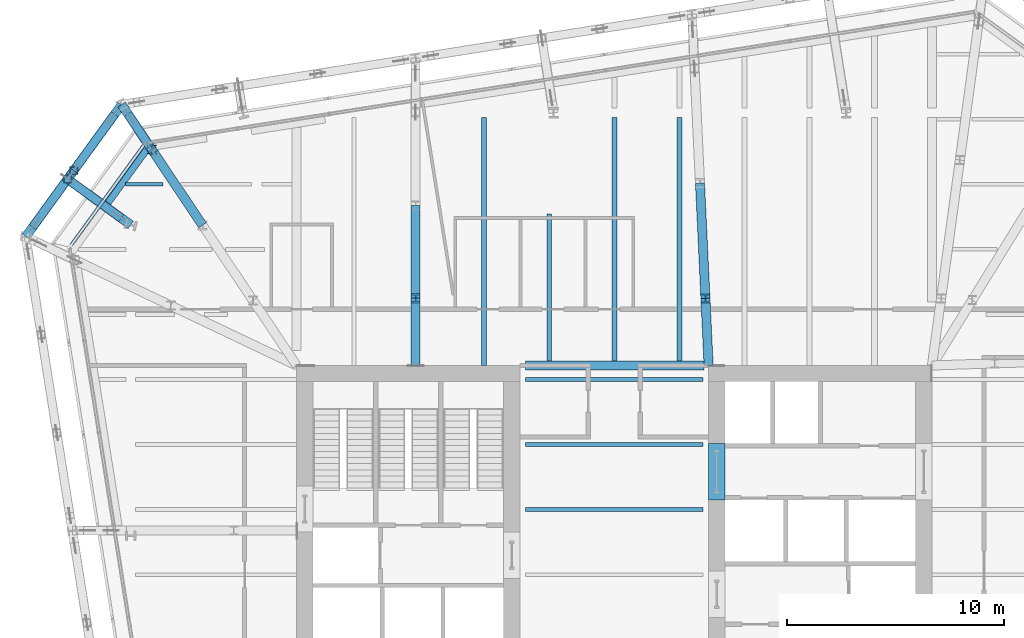
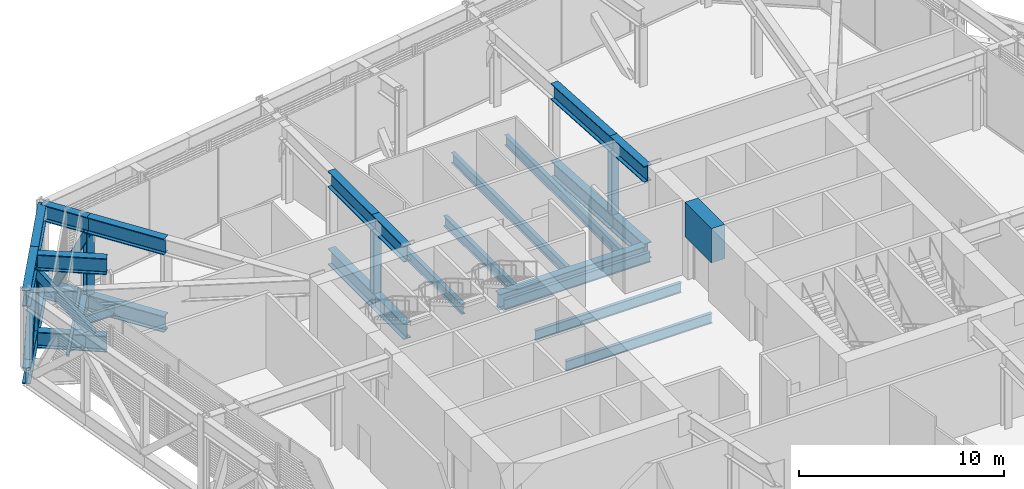
# One storey, part 11 of 32: 29 beams, 10 members, 1 element without a shape of its own.
"""IFC4 building model written with IfcOpenShell, lengths in metres."""

from ifc_helpers import new_model, si_unit, direction, frame, origin, origin_2d, place, context, subcontext, project, spatial, rectangle, hollow_rectangle, i_section, extrude, material, layer, layer_set, material_profile, profile_set, type_object, element, aggregate, save


model = new_model("IFC4")

# Units and contexts
model_context = context("Model", 3, precision=1e-05, world=origin(), true_north=direction((0.0, 1.0)))
body_context = subcontext(model_context, "Body", "Model", "MODEL_VIEW")
ifc_project = project(units=[si_unit("LENGTHUNIT", "METRE"), si_unit("AREAUNIT", "SQUARE_METRE"), si_unit("VOLUMEUNIT", "CUBIC_METRE"), si_unit("PLANEANGLEUNIT", "RADIAN"), si_unit("MASSUNIT", "GRAM", prefix="KILO")], contexts=[model_context])

# Site, building, storey
site_placement = place(None, origin())
site = spatial("IfcSite", under=ifc_project, at=site_placement, CompositionType="ELEMENT")
building_placement = place(site_placement, origin())
building = spatial("IfcBuilding", under=site, at=building_placement, Name="Millrace Tower", CompositionType="ELEMENT")
storey_placement = place(building_placement, frame((0.0, 0.0, 124.89990234375)))
storey = spatial("IfcBuildingStorey", under=building, at=storey_placement, Name="L27", CompositionType="ELEMENT", Elevation=124.89990234375)

# Curtain wall, member
ifc_material_1 = material(Name="Aluminium and glass", Category="aluminium")
ifc_layer = layer(ifc_material_1, 0.14990234375)
ifc_layer_set = layer_set([ifc_layer], Name="Aluminium and glass")
curtain_wall_type = type_object("IfcCurtainWallType", Name="CW-5 truss and plant storey louvred infill", PredefinedType="NOTDEFINED", material=ifc_layer_set)
curtain_wall_placement = place(storey_placement, origin())
curtain_wall = element("IfcCurtainWall", 1, at=curtain_wall_placement, inside=storey, type_object=curtain_wall_type, Name="Curtain wall C-F07 L27", PredefinedType="NOTDEFINED")
ifc_material_2 = material(Name="Aluminium", Category="aluminium")
ifc_material_profile_1 = material_profile(ifc_material_2, rectangle(XDim=0.14990234375, YDim=0.139892578125, at=origin_2d()))
ifc_profile_set_1 = profile_set([ifc_material_profile_1], Name="Aluminium")
member_type_1 = type_object("IfcMemberType", Name="CW-5 truss and plant storey louvred infill transom", PredefinedType="USERDEFINED", material=ifc_profile_set_1)
member_1_placement = place(storey_placement, frame((-21.70751953125, 19.796875, 0.070068359375), z_axis=(-0.587761915215, -0.80903394924, 0.0), x_axis=(0.80903394924, -0.587761915215, 0.0)))
member_1 = element("IfcMember", 2, at=member_1_placement, type_object=member_type_1, Name="CW5 transom C-F07.1", ObjectType="TRANSOM", PredefinedType="USERDEFINED", context=body_context, shape_type="SweptSolid", body=[
    extrude(rectangle(XDim=0.14990234375, YDim=0.139892578125, at=origin_2d()), origin(), (0.0, 0.0, 1.0), 5.6689453125),
])
aggregate(curtain_wall, [member_1])

# Beams
ifc_material_3 = material(Name="Concrete C70", Category="concrete")
ifc_material_profile_2 = material_profile(ifc_material_3, rectangle(XDim=0.75, YDim=2.0400390625, at=origin_2d()))
ifc_profile_set_2 = profile_set([ifc_material_profile_2], Name="Concrete C70")
beam_type_1 = type_object("IfcBeamType", Name="Coupling beam 750 x 2040 Concrete C70, 2000 opening", PredefinedType="BEAM", material=ifc_profile_set_2)
beam_1_placement = place(storey_placement, frame((4.72509765625, 6.050048828125, 3.420166015625), z_axis=(0.0, -1.0, 0.0), x_axis=(1.0, 0.0, 0.0)))
element("IfcBeam", 3, at=beam_1_placement, inside=storey, type_object=beam_type_1, Name="Coupling beam E L27", PredefinedType="BEAM", context=body_context, shape_type="SweptSolid", body=[
    extrude(rectangle(XDim=0.75, YDim=2.0400390625, at=origin_2d()), origin(), (0.0, 0.0, 1.0), 2.60009765625),
])
ifc_material_4 = material(Name="Steel ASTM A992 Grade 50", Category="steel")
ifc_material_profile_3 = material_profile(ifc_material_4, i_section(OverallWidth=0.1650390625, OverallDepth=0.52587890625, WebThickness=0.0087890625, FlangeThickness=0.011474609375, FilletRadius=0.0126953125, at=origin_2d()))
ifc_profile_set_3 = profile_set([ifc_material_profile_3], Name="Steel ASTM A992 Grade 50")
beam_type_2 = type_object("IfcBeamType", Name="Floor beam W21x44", PredefinedType="JOIST", material=ifc_profile_set_3)
beam_2_placement = place(storey_placement, frame((-22.540283203125, 18.0, -0.4228515625), z_axis=(1.0, 0.0, 0.0), x_axis=(0.0, 1.0, 0.0)))
element("IfcBeam", 4, at=beam_2_placement, inside=storey, type_object=beam_type_2, Name="BM-C-L27-S1-S035-a-a", PredefinedType="JOIST", context=body_context, shape_type="SweptSolid", body=[
    extrude(i_section(OverallWidth=0.1650390625, OverallDepth=0.52587890625, WebThickness=0.0087890625, FlangeThickness=0.011474609375, FilletRadius=0.0126953125, at=origin_2d()), origin(), (0.0, 0.0, 1.0), 1.7216796875),
])
ifc_material_5 = material(Name="Steel ASTM A992 Grade 50", Category="steel")
ifc_material_profile_4 = material_profile(ifc_material_5, i_section(OverallWidth=0.177978515625, OverallDepth=0.599365234375, WebThickness=0.010009765625, FlangeThickness=0.012939453125, FilletRadius=0.012939453125, at=origin_2d()))
ifc_profile_set_4 = profile_set([ifc_material_profile_4], Name="Steel ASTM A992 Grade 50")
beam_type_3 = type_object("IfcBeamType", Name="Floor beam W24x55", PredefinedType="JOIST", material=ifc_profile_set_4)
for number, where, z_axis, x_axis, name in (
    (5, (-4.10009765625, 3.0, -0.459716796875), (1.0, 0.0, 0.0), (0.0, 1.0, 0.0), "BM-C-L27-S1-S022"),
    (6, (-4.10009765625, 6.0, -0.459716796875), (1.0, 0.0, 0.0), (0.0, 1.0, 0.0), "BM-C-L27-S1-S025"),
    (7, (-4.10009765625, 9.0, -0.459716796875), (1.0, 0.0, 0.0), (0.0, 1.0, 0.0), "BM-C-L27-S1-S028"),
):
    element("IfcBeam", number, at=place(storey_placement, frame(where, z_axis=z_axis, x_axis=x_axis)), inside=storey, type_object=beam_type_3, Name=name, PredefinedType="JOIST", context=body_context, shape_type="SweptSolid", body=[
        extrude(i_section(OverallWidth=0.177978515625, OverallDepth=0.599365234375, WebThickness=0.010009765625, FlangeThickness=0.012939453125, FilletRadius=0.012939453125, at=origin_2d()), origin(), (0.0, 0.0, 1.0), 8.2001953125),
    ])
ifc_material_6 = material(Name="Steel ASTM A992 Grade 50", Category="steel")
ifc_material_profile_5 = material_profile(ifc_material_6, i_section(OverallWidth=0.228271484375, OverallDepth=0.607177734375, WebThickness=0.01123046875, FlangeThickness=0.017333984375, FilletRadius=0.0126953125, at=origin_2d()))
ifc_profile_set_5 = profile_set([ifc_material_profile_5], Name="Steel ASTM A992 Grade 50")
beam_type_4 = type_object("IfcBeamType", Name="Floor beam W24x76", PredefinedType="JOIST", material=ifc_profile_set_5)
beam_3_placement = place(storey_placement, frame((-3.0, 9.859619140625, -0.46337890625), z_axis=(0.0, 1.0, 0.0), x_axis=(-1.0, 0.0, 0.0)))
element("IfcBeam", 8, at=beam_3_placement, inside=storey, type_object=beam_type_4, Name="BM-C-L27-S1-S045-a", PredefinedType="JOIST", context=body_context, shape_type="SweptSolid", body=[
    extrude(i_section(OverallWidth=0.228271484375, OverallDepth=0.607177734375, WebThickness=0.01123046875, FlangeThickness=0.017333984375, FilletRadius=0.0126953125, at=origin_2d()), origin(), (0.0, 0.0, 1.0), 6.773193359375),
])
for number, where, z_axis, x_axis, name in (
    (9, (3.0, 9.859619140625, -0.46337890625), (0.0, 1.0, 0.0), (-1.0, 0.0, 0.0), "BM-C-L27-S1-S049-a"),
    (10, (0.0, 9.859619140625, -0.46337890625), (0.0, 1.0, 0.0), (-1.0, 0.0, 0.0), "BM-C-L27-S1-S047-a"),
):
    element("IfcBeam", number, at=place(storey_placement, frame(where, z_axis=z_axis, x_axis=x_axis)), inside=storey, type_object=beam_type_4, Name=name, PredefinedType="JOIST", context=body_context, shape_type="SweptSolid", body=[
        extrude(i_section(OverallWidth=0.228271484375, OverallDepth=0.607177734375, WebThickness=0.01123046875, FlangeThickness=0.017333984375, FilletRadius=0.0126953125, at=origin_2d()), origin(), (0.0, 0.0, 1.0), 11.222412109375),
    ])
beam_4_placement = place(storey_placement, frame((-6.0, 9.64990234375, -0.46337890625), z_axis=(0.0, 1.0, 0.0), x_axis=(-1.0, 0.0, 0.0)))
element("IfcBeam", 11, at=beam_4_placement, inside=storey, type_object=beam_type_4, Name="BM-C-L27-S1-S043", PredefinedType="JOIST", context=body_context, shape_type="SweptSolid", body=[
    extrude(i_section(OverallWidth=0.228271484375, OverallDepth=0.607177734375, WebThickness=0.01123046875, FlangeThickness=0.017333984375, FilletRadius=0.0126953125, at=origin_2d()), origin(), (0.0, 0.0, 1.0), 11.43212890625),
])
ifc_material_7 = material(Name="Steel ASTM A992 Grade 50", Category="steel")
ifc_material_profile_6 = material_profile(ifc_material_7, i_section(OverallWidth=0.419189453125, OverallDepth=0.927001953125, WebThickness=0.019287109375, FlangeThickness=0.031982421875, FilletRadius=0.024169921875, at=origin_2d()))
ifc_profile_set_6 = profile_set([ifc_material_profile_6], Name="Steel ASTM A992 Grade 50")
beam_type_5 = type_object("IfcBeamType", Name="Girder short span W36x231", PredefinedType="BEAM", material=ifc_profile_set_6)
beam_5_placement = place(storey_placement, frame((-4.10009765625, 9.64990234375, -0.62353515625), z_axis=(1.0, 0.0, 0.0), x_axis=(0.0, 1.0, 0.0)))
element("IfcBeam", 12, at=beam_5_placement, inside=storey, type_object=beam_type_5, Name="BM-C-L27-S1-G061", PredefinedType="BEAM", context=body_context, shape_type="SweptSolid", body=[
    extrude(i_section(OverallWidth=0.419189453125, OverallDepth=0.927001953125, WebThickness=0.019287109375, FlangeThickness=0.031982421875, FilletRadius=0.024169921875, at=origin_2d()), origin(), (0.0, 0.0, 1.0), 8.22802734375),
])
ifc_material_8 = material(Name="Steel ASTM A992 Grade 50", Category="steel")
ifc_material_profile_7 = material_profile(ifc_material_8, i_section(OverallWidth=0.307373046875, OverallDepth=0.927001953125, WebThickness=0.01953125, FlangeThickness=0.031982421875, FilletRadius=0.01904296875, at=origin_2d()))
ifc_profile_set_7 = profile_set([ifc_material_profile_7], Name="Steel ASTM A992 Grade 50")
beam_type_6 = type_object("IfcBeamType", Name="Ring beam short span W36x194", PredefinedType="SPANDREL", material=ifc_profile_set_7)
beam_6_placement = place(storey_placement, frame((-23.3466796875, 17.151611328125, -0.62353515625), z_axis=(0.587780893365, 0.809020161303, 0.0), x_axis=(-0.809020161303, 0.587780893365, 0.0)))
element("IfcBeam", 13, at=beam_6_placement, inside=storey, type_object=beam_type_6, Name="RNG-C-L27-S1-04-b", PredefinedType="SPANDREL", context=body_context, shape_type="SweptSolid", body=[
    extrude(i_section(OverallWidth=0.307373046875, OverallDepth=0.927001953125, WebThickness=0.01953125, FlangeThickness=0.031982421875, FilletRadius=0.01904296875, at=origin_2d()), origin(), (0.0, 0.0, 1.0), 3.00927734375),
])

# Members
ifc_material_9 = material(Name="Steel ASTM A992 Grade 50", Category="steel")
ifc_material_profile_8 = material_profile(ifc_material_9, i_section(OverallWidth=0.406494140625, OverallDepth=0.41650390625, WebThickness=0.030029296875, FlangeThickness=0.048095703125, FilletRadius=0.01513671875, at=origin_2d()))
ifc_profile_set_8 = profile_set([ifc_material_profile_8], Name="Steel ASTM A992 Grade 50")
member_type_2 = type_object("IfcMemberType", Name="Transfer truss Vierendeel moment post W14x257", PredefinedType="POST", material=ifc_profile_set_8)
for number, where, z_axis, x_axis, name in (
    (14, (4.203125, 12.74658203125, -0.159912109375), (0.0, 0.0, 1.0), (1.0, 0.0, 0.0), "TRS-L27-C11-V03"),
    (15, (-9.15966796875, 12.75, -0.159912109375), (0.0, 0.0, 1.0), (1.0, 0.0, 0.0), "TRS-L27-C12-V03"),
    (16, (-21.326416015625, 19.603271484375, -0.159912109375), (0.0, 0.0, 1.0), (1.0, 0.0, 0.0), "TRS-L27-C13-V01"),
):
    element("IfcMember", number, at=place(storey_placement, frame(where, z_axis=z_axis, x_axis=x_axis)), inside=storey, type_object=member_type_2, Name=name, PredefinedType="POST", context=body_context, shape_type="SweptSolid", body=[
        extrude(i_section(OverallWidth=0.406494140625, OverallDepth=0.41650390625, WebThickness=0.030029296875, FlangeThickness=0.048095703125, FilletRadius=0.01513671875, at=origin_2d()), origin(), (0.0, 0.0, 1.0), 3.642333984375),
    ])

# Beams
ifc_material_10 = material(Name="Steel ASTM A992 Grade 50", Category="steel")
ifc_material_profile_9 = material_profile(ifc_material_10, i_section(OverallWidth=0.421630859375, OverallDepth=0.95751953125, WebThickness=0.02587890625, FlangeThickness=0.046875, FilletRadius=0.024169921875, at=origin_2d()))
ifc_profile_set_9 = profile_set([ifc_material_profile_9], Name="Steel ASTM A992 Grade 50")
beam_type_7 = type_object("IfcBeamType", Name="Transfer truss chord W36x330", PredefinedType="BEAM", material=ifc_profile_set_9)
for number, where, z_axis, x_axis, name in (
    (17, (-22.718994140625, 21.679443359375, -0.638671875), (-0.587816727531, -0.80899412534, 0.0), (0.80899412534, -0.587816727531, 0.0), "TRS-L27-R13-B01"),
    (18, (-22.718994140625, 21.679443359375, 3.96142578125), (-0.587816727531, -0.80899412534, 0.0), (0.80899412534, -0.587816727531, 0.0), "TRS-L27-R13-T01"),
    (19, (-24.930908203125, 18.63525390625, -0.638671875), (-0.587743410516, -0.809047392552, 0.0), (0.809047392552, -0.587743410516, 0.0), "TRS-L27-R13-B02"),
    (20, (-24.930908203125, 18.63525390625, 3.96142578125), (-0.587743410516, -0.809047392552, 0.0), (0.809047392552, -0.587743410516, 0.0), "TRS-L27-R13-T02"),
):
    element("IfcBeam", number, at=place(storey_placement, frame(where, z_axis=z_axis, x_axis=x_axis)), inside=storey, type_object=beam_type_7, Name=name, PredefinedType="BEAM", context=body_context, shape_type="SweptSolid", body=[
        extrude(i_section(OverallWidth=0.421630859375, OverallDepth=0.95751953125, WebThickness=0.02587890625, FlangeThickness=0.046875, FilletRadius=0.024169921875, at=origin_2d()), origin(), (0.0, 0.0, 1.0), 3.762939453125),
    ])
for number, where, z_axis, x_axis, name in (
    (21, (3.951171875, 18.0537109375, -0.638671875), (0.047421059361, -0.998874988739, 0.0), (0.998874988739, 0.047421059361, 0.0), "TRS-L27-C11-B03"),
    (22, (3.951171875, 18.0537109375, 3.96142578125), (0.047421059361, -0.998874988739, 0.0), (0.998874988739, 0.047421059361, 0.0), "TRS-L27-C11-T03"),
):
    element("IfcBeam", number, at=place(storey_placement, frame(where, z_axis=z_axis, x_axis=x_axis)), inside=storey, type_object=beam_type_7, Name=name, PredefinedType="BEAM", context=body_context, shape_type="SweptSolid", body=[
        extrude(i_section(OverallWidth=0.421630859375, OverallDepth=0.95751953125, WebThickness=0.02587890625, FlangeThickness=0.046875, FilletRadius=0.024169921875, at=origin_2d()), origin(), (0.0, 0.0, 1.0), 5.31298828125),
    ])
for number, where, z_axis, x_axis, name in (
    (23, (4.203125, 12.74658203125, -0.638671875), (0.047408003493, -0.998875608474, 0.0), (0.998875608474, 0.047408003493, 0.0), "TRS-L27-C11-B04"),
    (24, (4.203125, 12.74658203125, 3.96142578125), (0.047408003493, -0.998875608474, 0.0), (0.998875608474, 0.047408003493, 0.0), "TRS-L27-C11-T04"),
):
    element("IfcBeam", number, at=place(storey_placement, frame(where, z_axis=z_axis, x_axis=x_axis)), inside=storey, type_object=beam_type_7, Name=name, PredefinedType="BEAM", context=body_context, shape_type="SweptSolid", body=[
        extrude(i_section(OverallWidth=0.421630859375, OverallDepth=0.95751953125, WebThickness=0.02587890625, FlangeThickness=0.046875, FilletRadius=0.024169921875, at=origin_2d()), origin(), (0.0, 0.0, 1.0), 3.10009765625),
    ])
for number, where, z_axis, x_axis, name in (
    (25, (-9.15966796875, 17.027099609375, -0.638671875), (0.0, -1.0, 0.0), (1.0, 0.0, 0.0), "TRS-L27-C12-B03"),
    (26, (-9.15966796875, 17.027099609375, 3.96142578125), (0.0, -1.0, 0.0), (1.0, 0.0, 0.0), "TRS-L27-C12-T03"),
):
    element("IfcBeam", number, at=place(storey_placement, frame(where, z_axis=z_axis, x_axis=x_axis)), inside=storey, type_object=beam_type_7, Name=name, PredefinedType="BEAM", context=body_context, shape_type="SweptSolid", body=[
        extrude(i_section(OverallWidth=0.421630859375, OverallDepth=0.95751953125, WebThickness=0.02587890625, FlangeThickness=0.046875, FilletRadius=0.024169921875, at=origin_2d()), origin(), (0.0, 0.0, 1.0), 4.277099609375),
    ])
for number, where, z_axis, x_axis, name in (
    (27, (-9.15966796875, 12.75, -0.638671875), (0.0, -1.0, 0.0), (1.0, 0.0, 0.0), "TRS-L27-C12-B04"),
    (28, (-9.15966796875, 12.75, 3.96142578125), (0.0, -1.0, 0.0), (1.0, 0.0, 0.0), "TRS-L27-C12-T04"),
):
    element("IfcBeam", number, at=place(storey_placement, frame(where, z_axis=z_axis, x_axis=x_axis)), inside=storey, type_object=beam_type_7, Name=name, PredefinedType="BEAM", context=body_context, shape_type="SweptSolid", body=[
        extrude(i_section(OverallWidth=0.421630859375, OverallDepth=0.95751953125, WebThickness=0.02587890625, FlangeThickness=0.046875, FilletRadius=0.024169921875, at=origin_2d()), origin(), (0.0, 0.0, 1.0), 3.10009765625),
    ])
for number, where, z_axis, x_axis, name in (
    (29, (-22.718994140625, 21.679443359375, -0.638671875), (0.557041789831, -0.830484463661, 0.0), (0.830484463661, 0.557041789831, 0.0), "TRS-L27-C13-B01"),
    (30, (-22.718994140625, 21.679443359375, 3.96142578125), (0.557041789831, -0.830484463661, 0.0), (0.830484463661, 0.557041789831, 0.0), "TRS-L27-C13-T01"),
):
    element("IfcBeam", number, at=place(storey_placement, frame(where, z_axis=z_axis, x_axis=x_axis)), inside=storey, type_object=beam_type_7, Name=name, PredefinedType="BEAM", context=body_context, shape_type="SweptSolid", body=[
        extrude(i_section(OverallWidth=0.421630859375, OverallDepth=0.95751953125, WebThickness=0.02587890625, FlangeThickness=0.046875, FilletRadius=0.024169921875, at=origin_2d()), origin(), (0.0, 0.0, 1.0), 2.5),
    ])
for number, where, z_axis, x_axis, name in (
    (31, (-21.326416015625, 19.603271484375, -0.638671875), (0.557045485936, -0.830481984511, 0.0), (0.830481984511, 0.557045485936, 0.0), "TRS-L27-C13-B02"),
    (32, (-21.326416015625, 19.603271484375, 3.96142578125), (0.557045485936, -0.830481984511, 0.0), (0.830481984511, 0.557045485936, 0.0), "TRS-L27-C13-T02"),
):
    element("IfcBeam", number, at=place(storey_placement, frame(where, z_axis=z_axis, x_axis=x_axis)), inside=storey, type_object=beam_type_7, Name=name, PredefinedType="BEAM", context=body_context, shape_type="SweptSolid", body=[
        extrude(i_section(OverallWidth=0.421630859375, OverallDepth=0.95751953125, WebThickness=0.02587890625, FlangeThickness=0.046875, FilletRadius=0.024169921875, at=origin_2d()), origin(), (0.0, 0.0, 1.0), 4.199951171875),
    ])
for number, where, z_axis, x_axis, name in (
    (33, (-22.300048828125, 16.12841796875, -0.638671875), (-0.809022416928, 0.587777788716, 0.0), (-0.587777788716, -0.809022416928, 0.0), "TRS-L27-B-B-X14-B01"),
    (34, (-22.300048828125, 16.12841796875, 3.96142578125), (-0.809022416928, 0.587777788716, 0.0), (-0.587777788716, -0.809022416928, 0.0), "TRS-L27-B-B-X14-T01"),
):
    element("IfcBeam", number, at=place(storey_placement, frame(where, z_axis=z_axis, x_axis=x_axis)), inside=storey, type_object=beam_type_7, Name=name, PredefinedType="BEAM", context=body_context, shape_type="SweptSolid", body=[
        extrude(i_section(OverallWidth=0.421630859375, OverallDepth=0.95751953125, WebThickness=0.02587890625, FlangeThickness=0.046875, FilletRadius=0.024169921875, at=origin_2d()), origin(), (0.0, 0.0, 1.0), 3.39111328125),
    ])

# Members
ifc_material_11 = material(Name="Steel ASTM A500 Grade C", Category="steel")
ifc_material_profile_10 = material_profile(ifc_material_11, hollow_rectangle(XDim=0.406494140625, YDim=0.406494140625, WallThickness=0.0126953125, InnerFilletRadius=0.00634765625, OuterFilletRadius=0.01904296875, at=origin_2d()))
ifc_profile_set_10 = profile_set([ifc_material_profile_10], Name="Steel ASTM A500 Grade C")
member_type_3 = type_object("IfcMemberType", Name="Transfer truss diagonal HSS16x16x1/2", PredefinedType="BRACE", material=ifc_profile_set_10)
member_2_placement = place(storey_placement, frame((-23.130615234375, 21.113037109375, -0.159912109375), z_axis=(-0.378300798668, -0.520663792471, 0.765374235873), x_axis=(0.809004868812, -0.587801941336, 0.0)))
element("IfcMember", 35, at=member_2_placement, inside=storey, type_object=member_type_3, Name="TRS-L27-R13-D01", PredefinedType="BRACE", context=body_context, shape_type="SweptSolid", body=[
    extrude(hollow_rectangle(XDim=0.406494140625, YDim=0.406494140625, WallThickness=0.0126953125, InnerFilletRadius=0.00634765625, OuterFilletRadius=0.01904296875, at=origin_2d()), origin(), (0.0, 0.0, 1.0), 4.7587890625),
])
member_3_placement = place(storey_placement, frame((-26.731201171875, 16.1572265625, -0.159912109375), z_axis=(0.378290693751, 0.520701185458, 0.765353791709), x_axis=(-0.809032407796, 0.587764036954, 0.0)))
element("IfcMember", 36, at=member_3_placement, inside=storey, type_object=member_type_3, Name="TRS-L27-R13-D02", PredefinedType="BRACE", context=body_context, shape_type="SweptSolid", body=[
    extrude(hollow_rectangle(XDim=0.406494140625, YDim=0.406494140625, WallThickness=0.0126953125, InnerFilletRadius=0.00634765625, OuterFilletRadius=0.01904296875, at=origin_2d()), origin(), (0.0, 0.0, 1.0), 4.759033203125),
])
member_4_placement = place(storey_placement, frame((-22.3291015625, 21.09814453125, -0.159912109375), z_axis=(0.246794609986, -0.367938494508, 0.89650080019), x_axis=(0.830481984511, 0.557045485936, 0.0)))
element("IfcMember", 37, at=member_4_placement, inside=storey, type_object=member_type_3, Name="TRS-L27-C13-D01", PredefinedType="BRACE", context=body_context, shape_type="SweptSolid", body=[
    extrude(hollow_rectangle(XDim=0.406494140625, YDim=0.406494140625, WallThickness=0.0126953125, InnerFilletRadius=0.00634765625, OuterFilletRadius=0.01904296875, at=origin_2d()), origin(), (0.0, 0.0, 1.0), 4.062744140625),
])
member_5_placement = place(storey_placement, frame((-22.8662109375, 16.539794921875, -0.159912109375), z_axis=(-0.504110789196, 0.366287654338, 0.782116146424), x_axis=(-0.58781647583, -0.808994308227, 0.0)))
element("IfcMember", 38, at=member_5_placement, inside=storey, type_object=member_type_3, Name="TRS-L27-B-B-X14-D01", PredefinedType="BRACE", context=body_context, shape_type="SweptSolid", body=[
    extrude(hollow_rectangle(XDim=0.406494140625, YDim=0.406494140625, WallThickness=0.0126953125, InnerFilletRadius=0.00634765625, OuterFilletRadius=0.01904296875, at=origin_2d()), origin(), (0.0, 0.0, 1.0), 4.656982421875),
])
ifc_material_12 = material(Name="Steel ASTM A500 Grade C", Category="steel")
ifc_material_profile_11 = material_profile(ifc_material_12, hollow_rectangle(XDim=0.355712890625, YDim=0.355712890625, WallThickness=0.015869140625, InnerFilletRadius=0.008056640625, OuterFilletRadius=0.02392578125, at=origin_2d()))
ifc_profile_set_11 = profile_set([ifc_material_profile_11], Name="Steel ASTM A500 Grade C")
member_type_4 = type_object("IfcMemberType", Name="Transfer truss post HSS14x14x5/8", PredefinedType="POST", material=ifc_profile_set_11)
for number, where, z_axis, x_axis, name in (
    (39, (-24.930908203125, 18.63525390625, -0.159912109375), (0.0, 0.0, 1.0), (1.0, 0.0, 0.0), "TRS-L27-R13-V01"),
    (40, (-25.2138671875, 18.24560546875, -0.159912109375), (0.0, 0.0, 1.0), (1.0, 0.0, 0.0), "TRS-L27-B-B-X14-V01"),
):
    element("IfcMember", number, at=place(storey_placement, frame(where, z_axis=z_axis, x_axis=x_axis)), inside=storey, type_object=member_type_4, Name=name, PredefinedType="POST", context=body_context, shape_type="SweptSolid", body=[
        extrude(hollow_rectangle(XDim=0.355712890625, YDim=0.355712890625, WallThickness=0.015869140625, InnerFilletRadius=0.008056640625, OuterFilletRadius=0.02392578125, at=origin_2d()), origin(), (0.0, 0.0, 1.0), 3.642333984375),
    ])

save(model, "model.ifc")
